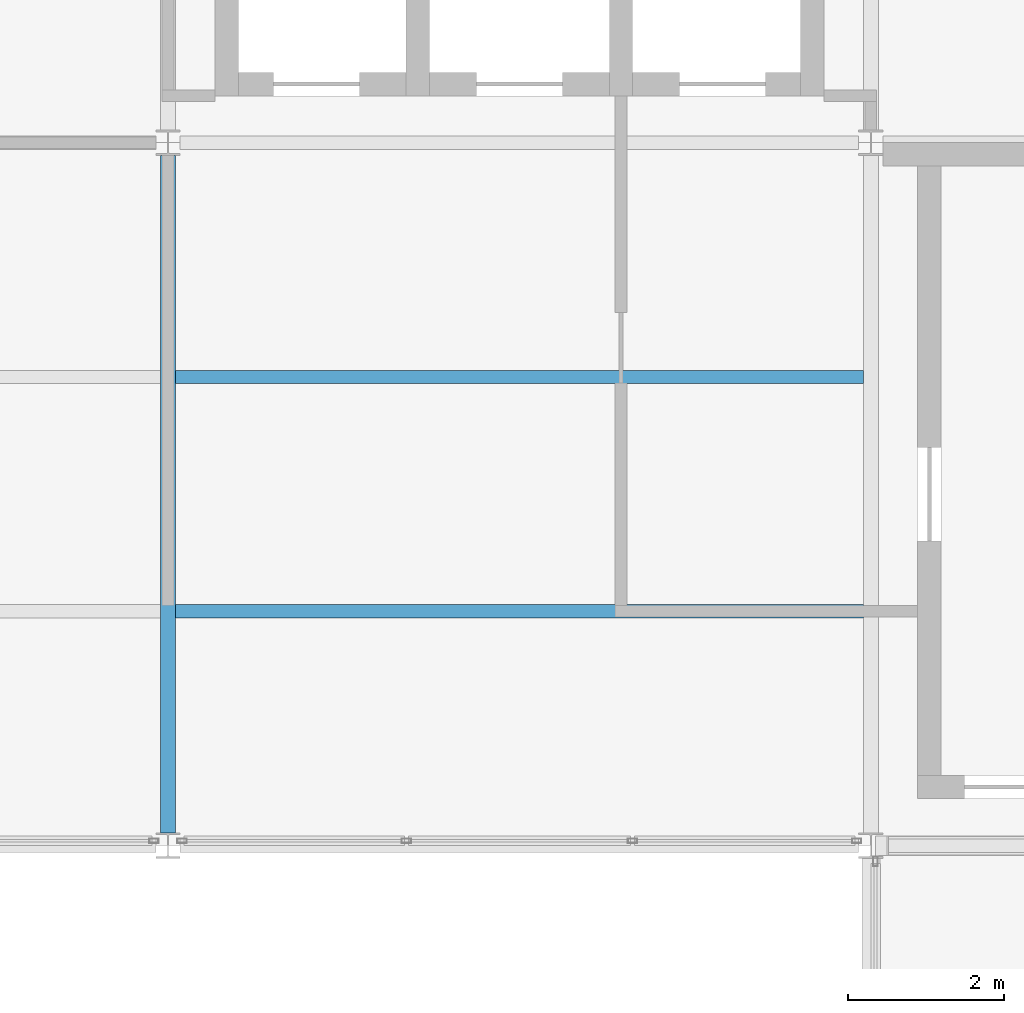
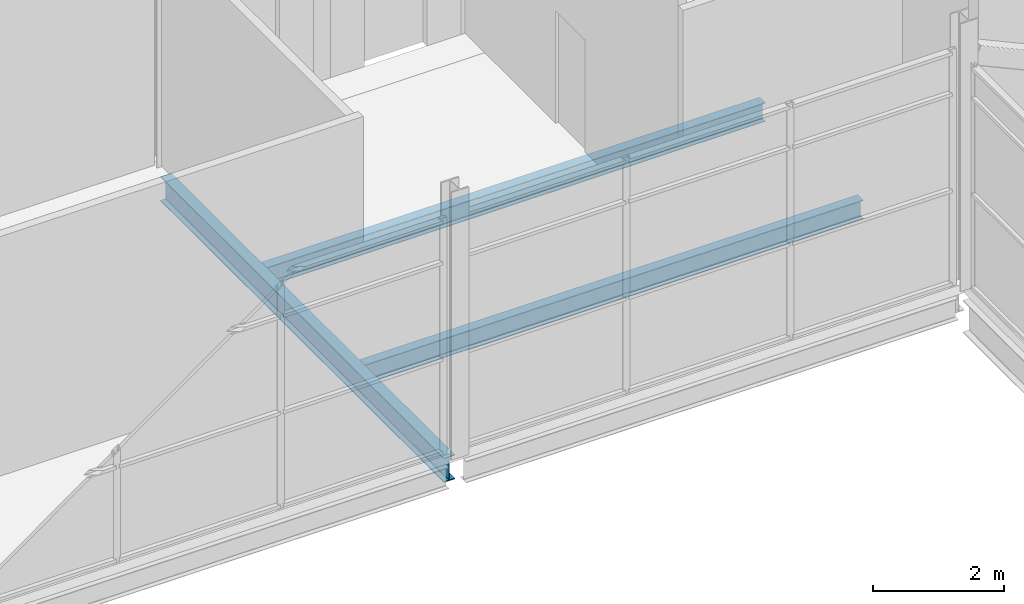
# One storey, part 54 of 112: 3 beams.
"""IFC4 building model written with IfcOpenShell, lengths in metres."""

from ifc_helpers import new_model, si_unit, direction, frame, origin, origin_2d, place, context, subcontext, project, spatial, i_section, extrude, material, material_profile, profile_set, type_object, element, save


model = new_model("IFC4")

# Units and contexts
model_context = context("Model", 3, precision=1e-05, world=origin(), true_north=direction((0.0, 1.0)))
body_context = subcontext(model_context, "Body", "Model", "MODEL_VIEW")
ifc_project = project(units=[si_unit("LENGTHUNIT", "METRE"), si_unit("AREAUNIT", "SQUARE_METRE"), si_unit("VOLUMEUNIT", "CUBIC_METRE"), si_unit("PLANEANGLEUNIT", "RADIAN"), si_unit("MASSUNIT", "GRAM", prefix="KILO")], contexts=[model_context])

# Site, building, storey
site_placement = place(None, origin())
site = spatial("IfcSite", under=ifc_project, at=site_placement, CompositionType="ELEMENT")
building_placement = place(site_placement, origin())
building = spatial("IfcBuilding", under=site, at=building_placement, Name="Shorebreak Coast Museum", CompositionType="ELEMENT")
storey_placement = place(building_placement, frame((0.0, 0.0, 6.0)))
storey = spatial("IfcBuildingStorey", under=building, at=storey_placement, Name="L01", CompositionType="ELEMENT", Elevation=6.0)

# Beams
ifc_material_1 = material(Name="Steel Grade 300", Category="steel")
ifc_material_profile_1 = material_profile(ifc_material_1, i_section(OverallWidth=0.19091796875, OverallDepth=0.46044921875, WebThickness=0.010009765625, FlangeThickness=0.01611328125, FilletRadius=0.011474609375, at=origin_2d()), Name="460UB82.1")
ifc_profile_set_1 = profile_set([ifc_material_profile_1], Name="Steel Grade 300")
beam_type_1 = type_object("IfcBeamType", Name="Floor girder north-south 460UB82.1", PredefinedType="BEAM", material=ifc_profile_set_1)
beam_placement = place(storey_placement, frame((99.0, 81.16357421875, -0.4052734375), z_axis=(0.0, 1.0, 0.0), x_axis=(-1.0, 0.0, 0.0)))
element("IfcBeam", 1, at=beam_placement, inside=storey, type_object=beam_type_1, Name="Floor girder north-south L01 12K", PredefinedType="BEAM", context=body_context, shape_type="SweptSolid", body=[
    extrude(i_section(OverallWidth=0.19091796875, OverallDepth=0.46044921875, WebThickness=0.010009765625, FlangeThickness=0.01611328125, FilletRadius=0.011474609375, at=origin_2d()), origin(), (0.0, 0.0, 1.0), 8.6728515625),
])
ifc_material_2 = material(Name="Steel Grade 300", Category="steel")
ifc_material_profile_2 = material_profile(ifc_material_2, i_section(OverallWidth=0.1708984375, OverallDepth=0.35205078125, WebThickness=0.0068359375, FlangeThickness=0.009765625, FilletRadius=0.011474609375, at=origin_2d()), Name="360UB44.7")
ifc_profile_set_2 = profile_set([ifc_material_profile_2], Name="Steel Grade 300")
beam_type_2 = type_object("IfcBeamType", Name="Floor joist 360UB44.7", PredefinedType="JOIST", material=ifc_profile_set_2)
for number, where, z_axis, x_axis, name in (
    (2, (99.095458984375, 84.0, -0.35107421875), (1.0, 0.0, 0.0), (0.0, 1.0, 0.0), "Floor joist L01 bay 12K at 3000 mm"),
    (3, (99.095458984375, 87.0, -0.35107421875), (1.0, 0.0, 0.0), (0.0, 1.0, 0.0), "Floor joist L01 bay 12K at 6000 mm"),
):
    element("IfcBeam", number, at=place(storey_placement, frame(where, z_axis=z_axis, x_axis=x_axis)), inside=storey, type_object=beam_type_2, Name=name, PredefinedType="JOIST", context=body_context, shape_type="SweptSolid", body=[
        extrude(i_section(OverallWidth=0.1708984375, OverallDepth=0.35205078125, WebThickness=0.0068359375, FlangeThickness=0.009765625, FilletRadius=0.011474609375, at=origin_2d()), origin(), (0.0, 0.0, 1.0), 8.80908203125),
    ])

save(model, "model.ifc")
